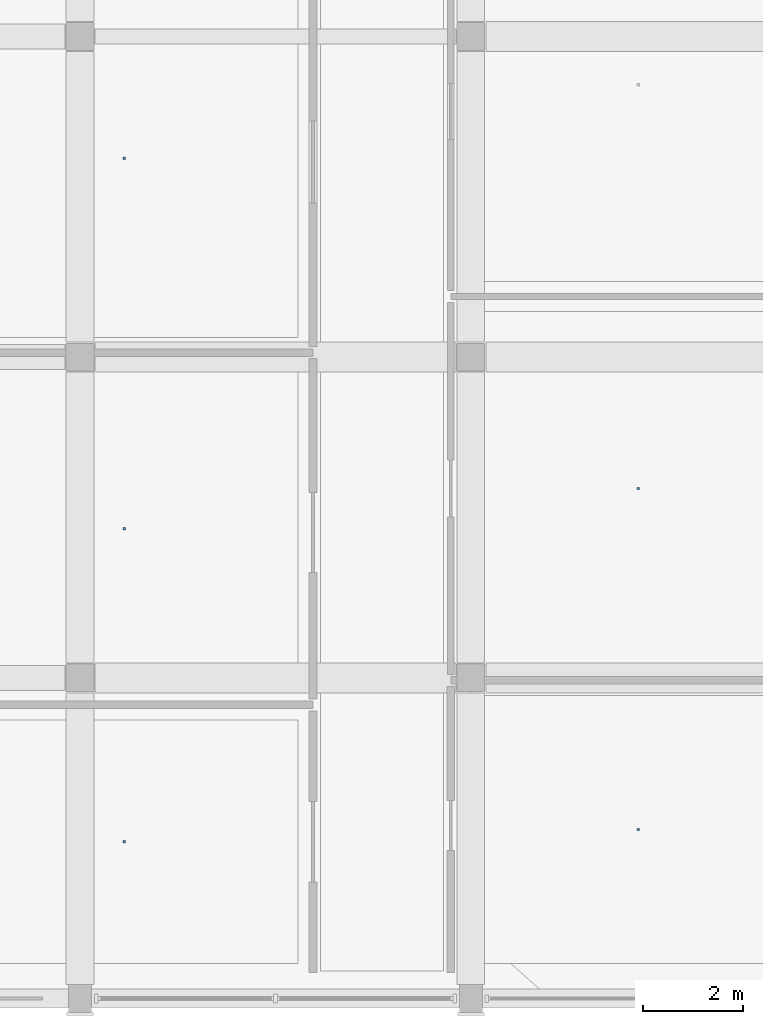
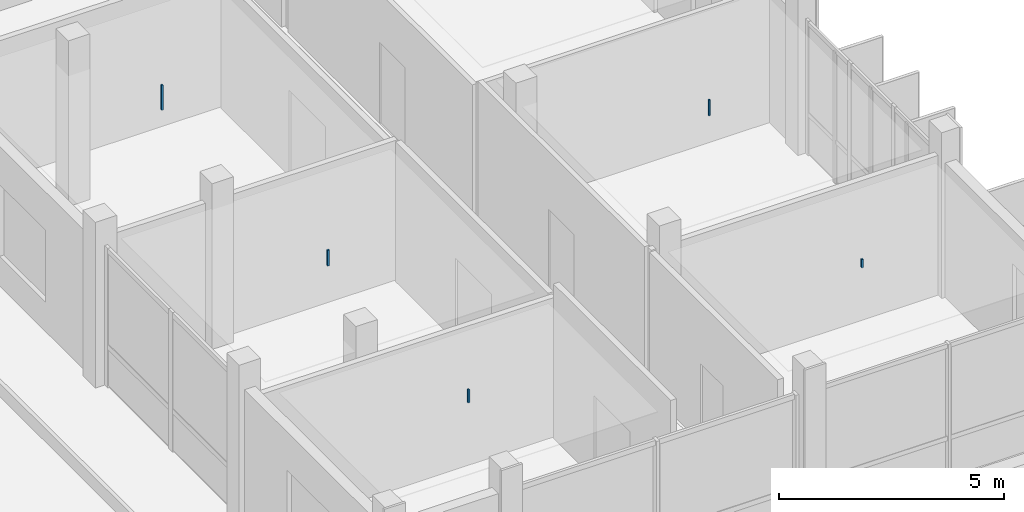
# One storey, part 74 of 95: 5 discrete accessories.
"""IFC4 building model written with IfcOpenShell, lengths in metres."""

from ifc_helpers import new_model, si_unit, derived_unit, direction, frame, origin, origin_2d, place, context, subcontext, project, spatial, rectangle, extrude, material, type_object, element, save


model = new_model("IFC4")

# Units and contexts
model_context = context("Model", 3, precision=1e-05, world=origin(), true_north=direction((0.0, 1.0)))
body_context = subcontext(model_context, "Body", "Model", "MODEL_VIEW")
ifc_project = project(units=[si_unit("LENGTHUNIT", "METRE"), si_unit("AREAUNIT", "SQUARE_METRE"), si_unit("VOLUMEUNIT", "CUBIC_METRE"), si_unit("PLANEANGLEUNIT", "RADIAN"), si_unit("MASSUNIT", "GRAM", prefix="KILO"), derived_unit("THERMALTRANSMITTANCEUNIT", [(si_unit("POWERUNIT", "WATT"), 1), (si_unit("LENGTHUNIT", "METRE"), -2), (si_unit("THERMODYNAMICTEMPERATUREUNIT", "KELVIN"), -1)])], contexts=[model_context])

# Site, building, storey
site_placement = place(None, origin())
site = spatial("IfcSite", under=ifc_project, at=site_placement, CompositionType="ELEMENT")
building_placement = place(site_placement, origin())
building = spatial("IfcBuilding", under=site, at=building_placement, Name="Braskholm Square Health Centre", CompositionType="ELEMENT")
storey_placement = place(building_placement, frame((0.0, 0.0, 4.800048828125)))
storey = spatial("IfcBuildingStorey", under=building, at=storey_placement, Name="L02", CompositionType="ELEMENT", Elevation=4.800048828125)

# Discrete accessories
ifc_material = material(Name="Steel ASTM A500 Grade C", Category="steel")
discrete_accessory_type = type_object("IfcDiscreteAccessoryType", Name="CeilingSuspensionBracket", PredefinedType="BRACKET", material=ifc_material)
discrete_accessory_1_placement = place(storey_placement, frame((159.93994140625, 7.574951171875, 3.781982421875), z_axis=(0.0, 0.0, 1.0), x_axis=(1.0, 0.0, 0.0)))
element("IfcDiscreteAccessory", 1, at=discrete_accessory_1_placement, inside=storey, type_object=discrete_accessory_type, Name="Ceiling hanger bracket 0131", PredefinedType="BRACKET", context=body_context, shape_type="SweptSolid", body=[
    extrude(rectangle(XDim=0.044921875, YDim=0.044921875, at=origin_2d()), origin(), (0.0, 0.0, 1.0), 0.22998046875),
])
discrete_accessory_2_placement = place(storey_placement, frame((159.93994140625, 14.3798828125, 3.7822265625), z_axis=(0.0, 0.0, 1.0), x_axis=(1.0, 0.0, 0.0)))
element("IfcDiscreteAccessory", 2, at=discrete_accessory_2_placement, inside=storey, type_object=discrete_accessory_type, Name="Ceiling hanger bracket 0132", PredefinedType="BRACKET", context=body_context, shape_type="SweptSolid", body=[
    extrude(rectangle(XDim=0.044921875, YDim=0.044921875, at=origin_2d()), origin(), (0.0, 0.0, 1.0), 0.429931640625),
])
discrete_accessory_3_placement = place(storey_placement, frame((149.68505859375, 7.330078125, 3.85205078125), z_axis=(0.0, 0.0, 1.0), x_axis=(1.0, 0.0, 0.0)))
element("IfcDiscreteAccessory", 3, at=discrete_accessory_3_placement, inside=storey, type_object=discrete_accessory_type, Name="Ceiling hanger bracket 0144", PredefinedType="BRACKET", context=body_context, shape_type="SweptSolid", body=[
    extrude(rectangle(XDim=0.044921875, YDim=0.044921875, at=origin_2d()), origin(), (0.0, 0.0, 1.0), 0.360107421875),
])
discrete_accessory_4_placement = place(storey_placement, frame((149.68505859375, 13.574951171875, 3.7822265625), z_axis=(0.0, 0.0, 1.0), x_axis=(1.0, 0.0, 0.0)))
element("IfcDiscreteAccessory", 4, at=discrete_accessory_4_placement, inside=storey, type_object=discrete_accessory_type, Name="Ceiling hanger bracket 0145", PredefinedType="BRACKET", context=body_context, shape_type="SweptSolid", body=[
    extrude(rectangle(XDim=0.044921875, YDim=0.044921875, at=origin_2d()), origin(), (0.0, 0.0, 1.0), 0.429931640625),
])
discrete_accessory_5_placement = place(storey_placement, frame((149.68505859375, 20.969970703125, 3.5322265625), z_axis=(0.0, 0.0, 1.0), x_axis=(1.0, 0.0, 0.0)))
element("IfcDiscreteAccessory", 5, at=discrete_accessory_5_placement, inside=storey, type_object=discrete_accessory_type, Name="Ceiling hanger bracket 0146", PredefinedType="BRACKET", context=body_context, shape_type="SweptSolid", body=[
    extrude(rectangle(XDim=0.044921875, YDim=0.044921875, at=origin_2d()), origin(), (0.0, 0.0, 1.0), 0.679931640625),
])

save(model, "model.ifc")
